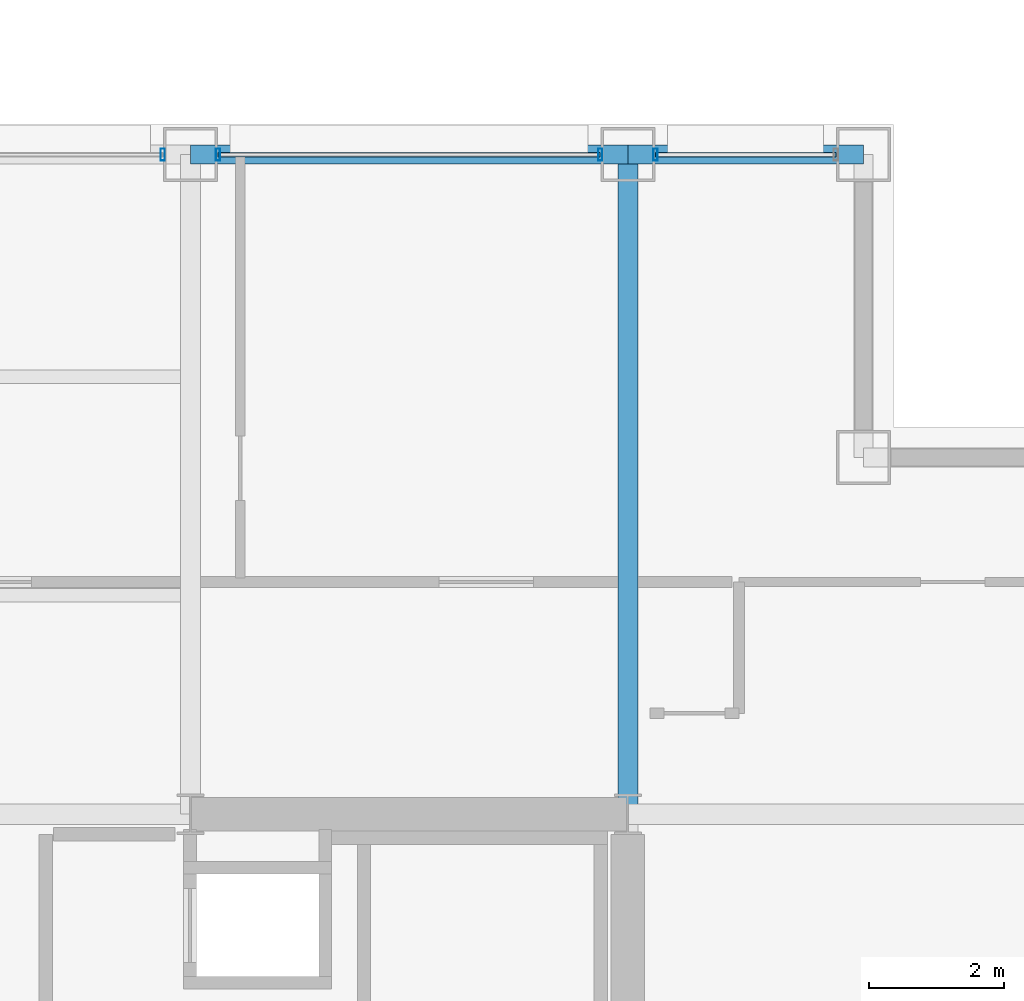
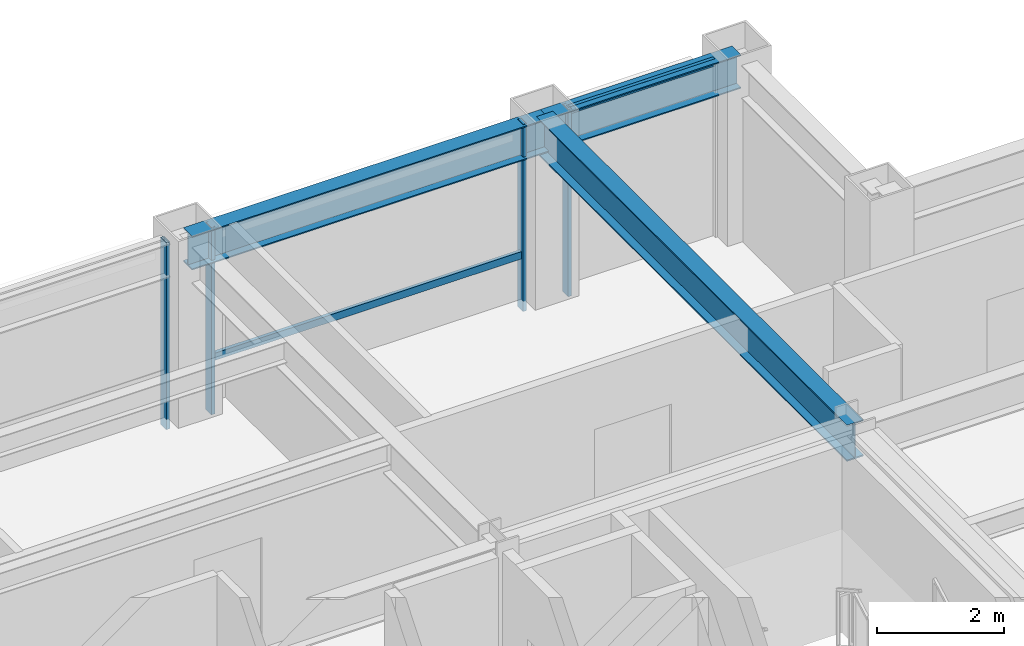
# One storey, part 21 of 29: 6 members, 3 beams, 3 elements without a shape of their own.
"""IFC4 building model written with IfcOpenShell, lengths in metres."""

from ifc_helpers import new_model, si_unit, direction, frame, origin, origin_2d, place, context, subcontext, project, spatial, hollow_rectangle, i_section, extrude, material, layer, layer_set, material_profile, profile_set, type_object, element, aggregate, save


model = new_model("IFC4")

# Units and contexts
model_context = context("Model", 3, precision=1e-05, world=origin(), true_north=direction((0.0, 1.0)))
body_context = subcontext(model_context, "Body", "Model", "MODEL_VIEW")
ifc_project = project(units=[si_unit("LENGTHUNIT", "METRE"), si_unit("AREAUNIT", "SQUARE_METRE"), si_unit("VOLUMEUNIT", "CUBIC_METRE"), si_unit("PLANEANGLEUNIT", "RADIAN"), si_unit("MASSUNIT", "GRAM", prefix="KILO")], contexts=[model_context])

# Site, building, storey
site_placement = place(None, origin())
site = spatial("IfcSite", under=ifc_project, at=site_placement, CompositionType="ELEMENT")
building_placement = place(site_placement, origin())
building = spatial("IfcBuilding", under=site, at=building_placement, Name="Brelmoor Portico Tower", CompositionType="ELEMENT")
storey_placement = place(building_placement, frame((0.0, 0.0, 135.0)))
storey = spatial("IfcBuildingStorey", under=building, at=storey_placement, Name="L35", CompositionType="ELEMENT", Elevation=135.0)

# Beams
ifc_material_1 = material(Name="Steel Q355B", Category="steel")
ifc_material_profile_1 = material_profile(ifc_material_1, i_section(OverallWidth=0.300048828125, OverallDepth=0.699951171875, WebThickness=0.012939453125, FlangeThickness=0.02392578125, at=origin_2d()), Name="HN 700x300x13x24")
ifc_profile_set_1 = profile_set([ifc_material_profile_1], Name="Steel Q355B")
beam_type_1 = type_object("IfcBeamType", Name="BM-PG-700", PredefinedType="BEAM", material=ifc_profile_set_1)
beam_1_placement = place(storey_placement, frame((14.550048828125, 9.75, 3.050048828125), z_axis=(0.0, 1.0, 0.0), x_axis=(-1.0, 0.0, 0.0)))
element("IfcBeam", 1, at=beam_1_placement, inside=storey, type_object=beam_type_1, Name="L35 Primary Floor Girder PG-13", PredefinedType="BEAM", context=body_context, shape_type="SweptSolid", body=[
    extrude(i_section(OverallWidth=0.300048828125, OverallDepth=0.699951171875, WebThickness=0.012939453125, FlangeThickness=0.02392578125, at=origin_2d()), origin(), (0.0, 0.0, 1.0), 9.800048828125),
])
ifc_material_profile_2 = material_profile(ifc_material_1, i_section(OverallWidth=0.280029296875, OverallDepth=0.64990234375, WebThickness=0.012939453125, FlangeThickness=0.02197265625, at=origin_2d()), Name="HN 650x280x13x22")
ifc_profile_set_2 = profile_set([ifc_material_profile_2], Name="Steel Q355B")
beam_type_2 = type_object("IfcBeamType", Name="BM-SP-650", PredefinedType="SPANDREL", material=ifc_profile_set_2)
beam_2_placement = place(storey_placement, frame((8.050048828125, 19.550048828125, 3.074951171875), z_axis=(1.0, 0.0, 0.0), x_axis=(0.0, 1.0, 0.0)))
element("IfcBeam", 2, at=beam_2_placement, inside=storey, type_object=beam_type_2, Name="L35 Perimeter Spandrel Beam SP-13", PredefinedType="SPANDREL", context=body_context, shape_type="SweptSolid", body=[
    extrude(i_section(OverallWidth=0.280029296875, OverallDepth=0.64990234375, WebThickness=0.012939453125, FlangeThickness=0.02197265625, at=origin_2d()), origin(), (0.0, 0.0, 1.0), 6.5),
])
beam_3_placement = place(storey_placement, frame((14.550048828125, 19.550048828125, 3.074951171875), z_axis=(1.0, 0.0, 0.0), x_axis=(0.0, 1.0, 0.0)))
element("IfcBeam", 3, at=beam_3_placement, inside=storey, type_object=beam_type_2, Name="L35 Perimeter Spandrel Beam SP-14", PredefinedType="SPANDREL", context=body_context, shape_type="SweptSolid", body=[
    extrude(i_section(OverallWidth=0.280029296875, OverallDepth=0.64990234375, WebThickness=0.012939453125, FlangeThickness=0.02197265625, at=origin_2d()), origin(), (0.0, 0.0, 1.0), 3.5),
])

# Curtain wall, member
ifc_material_2 = material(Name="Anodised Aluminium Alloy 6063-T6", Category="aluminium")
ifc_layer_1 = layer(ifc_material_2, 0.179931640625)
ifc_layer_set_1 = layer_set([ifc_layer_1], Name="Anodised Aluminium Alloy 6063-T6")
curtain_wall_type_1 = type_object("IfcCurtainWallType", Name="CW-TOWER-Z2", PredefinedType="NOTDEFINED", material=ifc_layer_set_1)
curtain_wall_1_placement = place(storey_placement, origin())
curtain_wall_1 = element("IfcCurtainWall", 4, at=curtain_wall_1_placement, inside=storey, type_object=curtain_wall_type_1, Name="L35 Curtain Wall CW-L35-2R-1", PredefinedType="NOTDEFINED")
ifc_material_profile_3 = material_profile(ifc_material_2, hollow_rectangle(XDim=0.06494140625, YDim=0.179931640625, WallThickness=0.00390625, at=origin_2d()), Name="ALU MULLION 65x180")
ifc_profile_set_3 = profile_set([ifc_material_profile_3], Name="Anodised Aluminium Alloy 6063-T6")
member_type_1 = type_object("IfcMemberType", Name="MB-CW-MULL-180", PredefinedType="MULLION", material=ifc_profile_set_3)
member_1_placement = place(storey_placement, frame((7.639892578125, 19.550048828125, -0.199951171875), z_axis=(0.0, 0.0, 1.0), x_axis=(1.0, 0.0, 0.0)))
member_1 = element("IfcMember", 5, at=member_1_placement, type_object=member_type_1, Name="CW-L35-2R-1 Mullion 01", PredefinedType="MULLION", context=body_context, shape_type="SweptSolid", body=[
    extrude(hollow_rectangle(XDim=0.06494140625, YDim=0.179931640625, WallThickness=0.00390625, at=origin_2d()), origin(), (0.0, 0.0, 1.0), 3.599853515625),
])
aggregate(curtain_wall_1, [member_1])

# Curtain wall, members
curtain_wall_2_placement = place(storey_placement, origin())
curtain_wall_2 = element("IfcCurtainWall", 6, at=curtain_wall_2_placement, inside=storey, type_object=curtain_wall_type_1, Name="L35 Curtain Wall CW-L35-2R-2", PredefinedType="NOTDEFINED")
member_2_placement = place(storey_placement, frame((8.4599609375, 19.550048828125, -0.199951171875), z_axis=(0.0, 0.0, 1.0), x_axis=(1.0, 0.0, 0.0)))
member_2 = element("IfcMember", 7, at=member_2_placement, type_object=member_type_1, Name="CW-L35-2R-2 Mullion 00", PredefinedType="MULLION", context=body_context, shape_type="SweptSolid", body=[
    extrude(hollow_rectangle(XDim=0.06494140625, YDim=0.179931640625, WallThickness=0.00390625, at=origin_2d()), origin(), (0.0, 0.0, 1.0), 3.599853515625),
])
member_3_placement = place(storey_placement, frame((14.139892578125, 19.550048828125, -0.199951171875), z_axis=(0.0, 0.0, 1.0), x_axis=(1.0, 0.0, 0.0)))
member_3 = element("IfcMember", 8, at=member_3_placement, type_object=member_type_1, Name="CW-L35-2R-2 Mullion 01", PredefinedType="MULLION", context=body_context, shape_type="SweptSolid", body=[
    extrude(hollow_rectangle(XDim=0.06494140625, YDim=0.179931640625, WallThickness=0.00390625, at=origin_2d()), origin(), (0.0, 0.0, 1.0), 3.599853515625),
])

# Curtain wall, member
ifc_layer_2 = layer(ifc_material_2, 0.179931640625)
ifc_layer_set_2 = layer_set([ifc_layer_2], Name="Anodised Aluminium Alloy 6063-T6")
curtain_wall_type_2 = type_object("IfcCurtainWallType", Name="CW-TOWER-Z2-XB", PredefinedType="NOTDEFINED", material=ifc_layer_set_2)
curtain_wall_3_placement = place(storey_placement, origin())
curtain_wall_3 = element("IfcCurtainWall", 9, at=curtain_wall_3_placement, inside=storey, type_object=curtain_wall_type_2, Name="L35 Curtain Wall CW-L35-2R-3", PredefinedType="NOTDEFINED")
member_4_placement = place(storey_placement, frame((14.9599609375, 19.550048828125, -0.199951171875), z_axis=(0.0, 0.0, 1.0), x_axis=(1.0, 0.0, 0.0)))
member_4 = element("IfcMember", 10, at=member_4_placement, type_object=member_type_1, Name="CW-L35-2R-3 Mullion 00", PredefinedType="MULLION", context=body_context, shape_type="SweptSolid", body=[
    extrude(hollow_rectangle(XDim=0.06494140625, YDim=0.179931640625, WallThickness=0.00390625, at=origin_2d()), origin(), (0.0, 0.0, 1.0), 3.599853515625),
])

# Member
ifc_material_profile_4 = material_profile(ifc_material_2, hollow_rectangle(XDim=0.06494140625, YDim=0.139892578125, WallThickness=0.00390625, at=origin_2d()), Name="ALU TRANSOM 65x140")
ifc_profile_set_4 = profile_set([ifc_material_profile_4], Name="Anodised Aluminium Alloy 6063-T6")
member_type_2 = type_object("IfcMemberType", Name="MB-CW-TRAN-140", PredefinedType="USERDEFINED", material=ifc_profile_set_4)
member_5_placement = place(storey_placement, frame((8.4599609375, 19.550048828125, 0.85009765625), z_axis=(1.0, 0.0, 0.0), x_axis=(0.0, 1.0, 0.0)))
member_5 = element("IfcMember", 11, at=member_5_placement, type_object=member_type_2, Name="CW-L35-2R-2 Transom 1-00", ObjectType="TRANSOM", PredefinedType="USERDEFINED", context=body_context, shape_type="SweptSolid", body=[
    extrude(hollow_rectangle(XDim=0.06494140625, YDim=0.139892578125, WallThickness=0.00390625, at=origin_2d()), origin(), (0.0, 0.0, 1.0), 5.679931640625),
])

aggregate(curtain_wall_2, [member_2, member_3, member_5])

member_6_placement = place(storey_placement, frame((14.9599609375, 19.550048828125, 3.330078125), z_axis=(1.0, 0.0, 0.0), x_axis=(0.0, 1.0, 0.0)))
member_6 = element("IfcMember", 12, at=member_6_placement, type_object=member_type_2, Name="CW-L35-2R-3 Transom 1-00", ObjectType="TRANSOM", PredefinedType="USERDEFINED", context=body_context, shape_type="SweptSolid", body=[
    extrude(hollow_rectangle(XDim=0.06494140625, YDim=0.139892578125, WallThickness=0.00390625, at=origin_2d()), origin(), (0.0, 0.0, 1.0), 2.679931640625),
])

aggregate(curtain_wall_3, [member_4, member_6])

save(model, "model.ifc")
